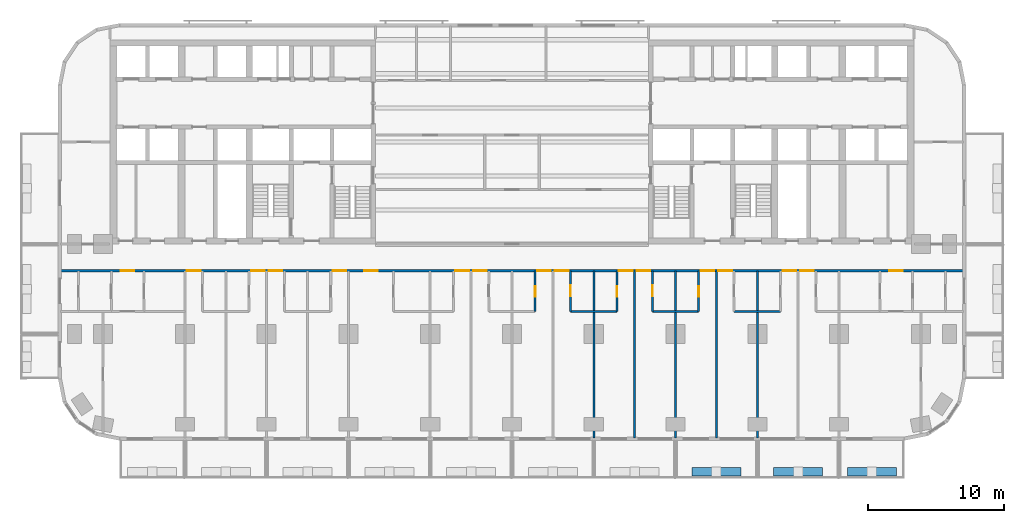
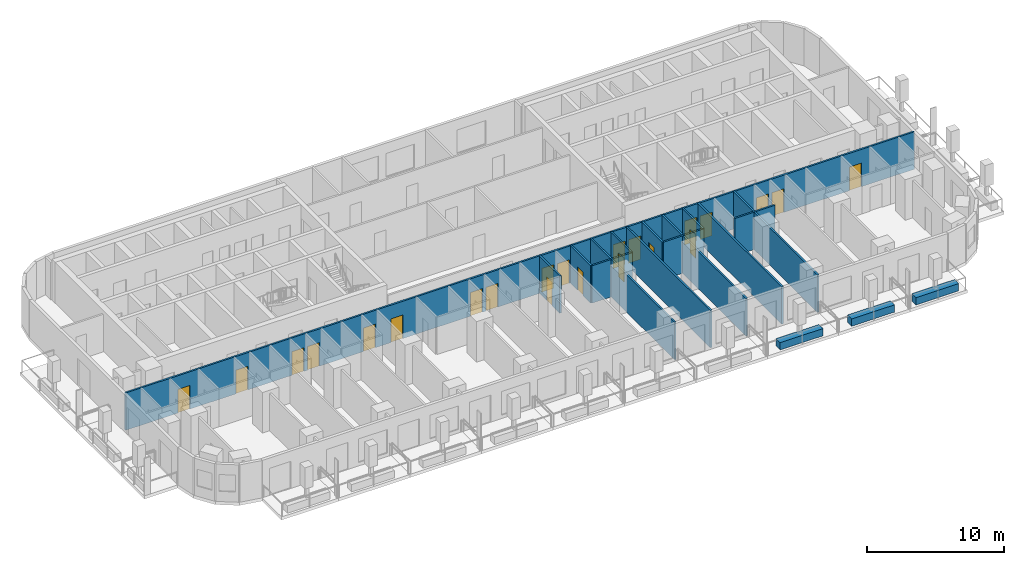
# One storey, part 6 of 15: 22 doors, 17 walls, 22 openings.
"""IFC4 building model written with IfcOpenShell, lengths in metres."""

from ifc_helpers import new_model, si_unit, direction, frame, frame_2d, origin, place, context, subcontext, project, spatial, rectangle, extrude, material, layer, layer_set, type_object, element, fill, save


model = new_model("IFC4")

# Units and contexts
model_context = context("Model", 3, precision=1e-05, world=origin(), true_north=direction((0.0, 1.0)))
body_context = subcontext(model_context, "Body", "Model", "MODEL_VIEW")
ifc_project = project(units=[si_unit("LENGTHUNIT", "METRE"), si_unit("AREAUNIT", "SQUARE_METRE"), si_unit("VOLUMEUNIT", "CUBIC_METRE"), si_unit("PLANEANGLEUNIT", "RADIAN"), si_unit("MASSUNIT", "GRAM", prefix="KILO")], contexts=[model_context])

# Site, building, storey
site_placement = place(None, origin())
site = spatial("IfcSite", under=ifc_project, at=site_placement, CompositionType="ELEMENT")
building_placement = place(site_placement, origin())
building = spatial("IfcBuilding", under=site, at=building_placement, Name="Torana Hotel and Residences", CompositionType="ELEMENT")
storey_placement = place(building_placement, frame((0.0, 0.0, 31.199951171875)))
storey = spatial("IfcBuildingStorey", under=building, at=storey_placement, Name="L06", CompositionType="ELEMENT", Elevation=31.199951171875)

# Wall, openings, doors
ifc_material_1 = material(Name="Gypsum plaster")
ifc_layer_1 = layer(ifc_material_1, 0.014892578125, Name="Plaster", Category="finish")
ifc_material_2 = material(Name="Concrete blockwork", Category="masonry")
ifc_layer_2 = layer(ifc_material_2, 0.1201171875, Name="Blockwork", Category="structure")
ifc_layer_3 = layer(ifc_material_1, 0.014892578125, Name="Plaster", Category="finish")
ifc_layer_set_1 = layer_set([ifc_layer_1, ifc_layer_2, ifc_layer_3], Name="FIRE PARTITION 150 BLOCKWORK")
wall_type_1 = type_object("IfcWallType", Name="FIRE PARTITION 150 BLOCKWORK", PredefinedType="PARTITIONING", material=ifc_layer_set_1)
wall_1_placement = place(storey_placement, frame((-33.1201171875, -16.949951171875, 0.0), z_axis=(0.0, 0.0, 1.0), x_axis=(1.0, 0.0, 0.0)))
wall_1 = element("IfcWall", 1, at=wall_1_placement, inside=storey, type_object=wall_type_1, Name="Partition L06", PredefinedType="PARTITIONING", context=body_context, shape_type="SweptSolid", body=[
    extrude(rectangle(XDim=66.240234375, YDim=0.14990234375, at=frame_2d((33.1201171875, 0.0))), origin(), (0.0, 0.0, 1.0), 3.320068359375),
])
opening_1_placement = place(wall_1_placement, frame((9.27001953125, 0.0, 0.0)))
opening_1 = element("IfcOpeningElement", 2, at=opening_1_placement, cuts=wall_1, Name="Opening L06-38", PredefinedType="OPENING", context=body_context, shape_type="SweptSolid", body=[
    extrude(rectangle(XDim=1.0, YDim=2.10009765625, at=frame_2d((0.5, 1.050048828125))), frame((0.0, 0.0849609375, 0.0), z_axis=(0.0, -1.0, 0.0), x_axis=(1.0, 0.0, 0.0)), (0.0, 0.0, 1.0), 0.169921875),
])
opening_2_placement = place(wall_1_placement, frame((13.969970703125, 0.0, 0.0)))
opening_2 = element("IfcOpeningElement", 3, at=opening_2_placement, cuts=wall_1, Name="Opening L06-39", PredefinedType="OPENING", context=body_context, shape_type="SweptSolid", body=[
    extrude(rectangle(XDim=1.0, YDim=2.10009765625, at=frame_2d((0.5, 1.050048828125))), frame((0.0, 0.0849609375, 0.0), z_axis=(0.0, -1.0, 0.0), x_axis=(1.0, 0.0, 0.0)), (0.0, 0.0, 1.0), 0.169921875),
])
opening_3_placement = place(wall_1_placement, frame((15.27001953125, 0.0, 0.0)))
opening_3 = element("IfcOpeningElement", 4, at=opening_3_placement, cuts=wall_1, Name="Opening L06-40", PredefinedType="OPENING", context=body_context, shape_type="SweptSolid", body=[
    extrude(rectangle(XDim=1.0, YDim=2.10009765625, at=frame_2d((0.5, 1.050048828125))), frame((0.0, 0.0849609375, 0.0), z_axis=(0.0, -1.0, 0.0), x_axis=(1.0, 0.0, 0.0)), (0.0, 0.0, 1.0), 0.169921875),
])
opening_4_placement = place(wall_1_placement, frame((19.969970703125, 0.0, 0.0)))
opening_4 = element("IfcOpeningElement", 5, at=opening_4_placement, cuts=wall_1, Name="Opening L06-41", PredefinedType="OPENING", context=body_context, shape_type="SweptSolid", body=[
    extrude(rectangle(XDim=1.0, YDim=2.10009765625, at=frame_2d((0.5, 1.050048828125))), frame((0.0, 0.0849609375, 0.0), z_axis=(0.0, -1.0, 0.0), x_axis=(1.0, 0.0, 0.0)), (0.0, 0.0, 1.0), 0.169921875),
])
opening_5_placement = place(wall_1_placement, frame((22.27001953125, 0.0, 0.0)))
opening_5 = element("IfcOpeningElement", 6, at=opening_5_placement, cuts=wall_1, Name="Opening L06-42", PredefinedType="OPENING", context=body_context, shape_type="SweptSolid", body=[
    extrude(rectangle(XDim=1.0, YDim=2.10009765625, at=frame_2d((0.5, 1.050048828125))), frame((0.0, 0.0849609375, 0.0), z_axis=(0.0, -1.0, 0.0), x_axis=(1.0, 0.0, 0.0)), (0.0, 0.0, 1.0), 0.169921875),
])
opening_6_placement = place(wall_1_placement, frame((28.969970703125, 0.0, 0.0)))
opening_6 = element("IfcOpeningElement", 7, at=opening_6_placement, cuts=wall_1, Name="Opening L06-43", PredefinedType="OPENING", context=body_context, shape_type="SweptSolid", body=[
    extrude(rectangle(XDim=1.0, YDim=2.10009765625, at=frame_2d((0.5, 1.050048828125))), frame((0.0, 0.0849609375, 0.0), z_axis=(0.0, -1.0, 0.0), x_axis=(1.0, 0.0, 0.0)), (0.0, 0.0, 1.0), 0.169921875),
])
opening_7_placement = place(wall_1_placement, frame((30.27001953125, 0.0, 0.0)))
opening_7 = element("IfcOpeningElement", 8, at=opening_7_placement, cuts=wall_1, Name="Opening L06-44", PredefinedType="OPENING", context=body_context, shape_type="SweptSolid", body=[
    extrude(rectangle(XDim=1.0, YDim=2.10009765625, at=frame_2d((0.5, 1.050048828125))), frame((0.0, 0.0849609375, 0.0), z_axis=(0.0, -1.0, 0.0), x_axis=(1.0, 0.0, 0.0)), (0.0, 0.0, 1.0), 0.169921875),
])
opening_8_placement = place(wall_1_placement, frame((34.969970703125, 0.0, 0.0)))
opening_8 = element("IfcOpeningElement", 9, at=opening_8_placement, cuts=wall_1, Name="Opening L06-45", PredefinedType="OPENING", context=body_context, shape_type="SweptSolid", body=[
    extrude(rectangle(XDim=1.0, YDim=2.10009765625, at=frame_2d((0.5, 1.050048828125))), frame((0.0, 0.0849609375, 0.0), z_axis=(0.0, -1.0, 0.0), x_axis=(1.0, 0.0, 0.0)), (0.0, 0.0, 1.0), 0.169921875),
])
opening_9_placement = place(wall_1_placement, frame((36.27001953125, 0.0, 0.0)))
opening_9 = element("IfcOpeningElement", 10, at=opening_9_placement, cuts=wall_1, Name="Opening L06-46", PredefinedType="OPENING", context=body_context, shape_type="SweptSolid", body=[
    extrude(rectangle(XDim=1.0, YDim=2.10009765625, at=frame_2d((0.5, 1.050048828125))), frame((0.0, 0.0849609375, 0.0), z_axis=(0.0, -1.0, 0.0), x_axis=(1.0, 0.0, 0.0)), (0.0, 0.0, 1.0), 0.169921875),
])
opening_10_placement = place(wall_1_placement, frame((40.969970703125, 0.0, 0.0)))
opening_10 = element("IfcOpeningElement", 11, at=opening_10_placement, cuts=wall_1, Name="Opening L06-47", PredefinedType="OPENING", context=body_context, shape_type="SweptSolid", body=[
    extrude(rectangle(XDim=1.0, YDim=2.10009765625, at=frame_2d((0.5, 1.050048828125))), frame((0.0, 0.0849609375, 0.0), z_axis=(0.0, -1.0, 0.0), x_axis=(1.0, 0.0, 0.0)), (0.0, 0.0, 1.0), 0.169921875),
])
opening_11_placement = place(wall_1_placement, frame((42.27001953125, 0.0, 0.0)))
opening_11 = element("IfcOpeningElement", 12, at=opening_11_placement, cuts=wall_1, Name="Opening L06-48", PredefinedType="OPENING", context=body_context, shape_type="SweptSolid", body=[
    extrude(rectangle(XDim=1.0, YDim=2.10009765625, at=frame_2d((0.5, 1.050048828125))), frame((0.0, 0.0849609375, 0.0), z_axis=(0.0, -1.0, 0.0), x_axis=(1.0, 0.0, 0.0)), (0.0, 0.0, 1.0), 0.169921875),
])
opening_12_placement = place(wall_1_placement, frame((46.969970703125, 0.0, 0.0)))
opening_12 = element("IfcOpeningElement", 13, at=opening_12_placement, cuts=wall_1, Name="Opening L06-49", PredefinedType="OPENING", context=body_context, shape_type="SweptSolid", body=[
    extrude(rectangle(XDim=1.0, YDim=2.10009765625, at=frame_2d((0.5, 1.050048828125))), frame((0.0, 0.0849609375, 0.0), z_axis=(0.0, -1.0, 0.0), x_axis=(1.0, 0.0, 0.0)), (0.0, 0.0, 1.0), 0.169921875),
])
opening_13_placement = place(wall_1_placement, frame((48.27001953125, 0.0, 0.0)))
opening_13 = element("IfcOpeningElement", 14, at=opening_13_placement, cuts=wall_1, Name="Opening L06-50", PredefinedType="OPENING", context=body_context, shape_type="SweptSolid", body=[
    extrude(rectangle(XDim=1.0, YDim=2.10009765625, at=frame_2d((0.5, 1.050048828125))), frame((0.0, 0.0849609375, 0.0), z_axis=(0.0, -1.0, 0.0), x_axis=(1.0, 0.0, 0.0)), (0.0, 0.0, 1.0), 0.169921875),
])
opening_14_placement = place(wall_1_placement, frame((52.969970703125, 0.0, 0.0)))
opening_14 = element("IfcOpeningElement", 15, at=opening_14_placement, cuts=wall_1, Name="Opening L06-51", PredefinedType="OPENING", context=body_context, shape_type="SweptSolid", body=[
    extrude(rectangle(XDim=1.0, YDim=2.10009765625, at=frame_2d((0.5, 1.050048828125))), frame((0.0, 0.0849609375, 0.0), z_axis=(0.0, -1.0, 0.0), x_axis=(1.0, 0.0, 0.0)), (0.0, 0.0, 1.0), 0.169921875),
])
opening_15_placement = place(wall_1_placement, frame((54.27001953125, 0.0, 0.0)))
opening_15 = element("IfcOpeningElement", 16, at=opening_15_placement, cuts=wall_1, Name="Opening L06-52", PredefinedType="OPENING", context=body_context, shape_type="SweptSolid", body=[
    extrude(rectangle(XDim=1.0, YDim=2.10009765625, at=frame_2d((0.5, 1.050048828125))), frame((0.0, 0.0849609375, 0.0), z_axis=(0.0, -1.0, 0.0), x_axis=(1.0, 0.0, 0.0)), (0.0, 0.0, 1.0), 0.169921875),
])
opening_16_placement = place(wall_1_placement, frame((4.39990234375, 0.0, 0.0)))
opening_16 = element("IfcOpeningElement", 17, at=opening_16_placement, cuts=wall_1, Name="Opening L06-53", PredefinedType="OPENING", context=body_context, shape_type="SweptSolid", body=[
    extrude(rectangle(XDim=1.0, YDim=2.10009765625, at=frame_2d((0.5, 1.050048828125))), frame((0.0, 0.0849609375, 0.0), z_axis=(0.0, -1.0, 0.0), x_axis=(1.0, 0.0, 0.0)), (0.0, 0.0, 1.0), 0.169921875),
])
opening_17_placement = place(wall_1_placement, frame((60.800048828125, 0.0, 0.0)))
opening_17 = element("IfcOpeningElement", 18, at=opening_17_placement, cuts=wall_1, Name="Opening L06-54", PredefinedType="OPENING", context=body_context, shape_type="SweptSolid", body=[
    extrude(rectangle(XDim=1.0, YDim=2.10009765625, at=frame_2d((0.5, 1.050048828125))), frame((0.0, 0.0849609375, 0.0), z_axis=(0.0, -1.0, 0.0), x_axis=(1.0, 0.0, 0.0)), (0.0, 0.0, 1.0), 0.169921875),
])
ifc_material_3 = material(Name="Steel S235", Category="steel")
door_type_1 = type_object("IfcDoorType", Name="ENTRY FIRE DOOR D6 1000x2100", OperationType="SINGLE_SWING_LEFT", PredefinedType="DOOR", material=ifc_material_3)
door_1_placement = place(opening_1_placement, frame((0.5, 0.0, 0.0), z_axis=(0.0, 0.0, 1.0), x_axis=(-1.0, 0.0, 0.0)))
door_1 = element("IfcDoor", 19, at=door_1_placement, inside=storey, type_object=door_type_1, Name="Door L06", OperationType="SINGLE_SWING_LEFT", OverallHeight=2.10009765625, OverallWidth=1.0, PredefinedType="DOOR", context=body_context, shape_type="SweptSolid", body=[
    extrude(rectangle(XDim=1.0, YDim=2.10009765625, at=frame_2d((0.0, 1.050048828125))), frame((0.0, -0.02490234375, 0.0), z_axis=(0.0, 1.0, 0.0), x_axis=(-1.0, 0.0, 0.0)), (0.0, 0.0, 1.0), 0.050048828125),
])
fill(opening_1, door_1)
door_2_placement = place(opening_2_placement, frame((0.5, 0.0, 0.0), z_axis=(0.0, 0.0, 1.0), x_axis=(-1.0, 0.0, 0.0)))
door_2 = element("IfcDoor", 20, at=door_2_placement, inside=storey, type_object=door_type_1, Name="Door L06", OperationType="SINGLE_SWING_LEFT", OverallHeight=2.10009765625, OverallWidth=1.0, PredefinedType="DOOR", context=body_context, shape_type="SweptSolid", body=[
    extrude(rectangle(XDim=1.0, YDim=2.10009765625, at=frame_2d((0.0, 1.050048828125))), frame((0.0, -0.02490234375, 0.0), z_axis=(0.0, 1.0, 0.0), x_axis=(-1.0, 0.0, 0.0)), (0.0, 0.0, 1.0), 0.050048828125),
])
fill(opening_2, door_2)
door_3_placement = place(opening_3_placement, frame((0.5, 0.0, 0.0), z_axis=(0.0, 0.0, 1.0), x_axis=(-1.0, 0.0, 0.0)))
door_3 = element("IfcDoor", 21, at=door_3_placement, inside=storey, type_object=door_type_1, Name="Door L06", OperationType="SINGLE_SWING_LEFT", OverallHeight=2.10009765625, OverallWidth=1.0, PredefinedType="DOOR", context=body_context, shape_type="SweptSolid", body=[
    extrude(rectangle(XDim=1.0, YDim=2.10009765625, at=frame_2d((0.0, 1.050048828125))), frame((0.0, -0.02490234375, 0.0), z_axis=(0.0, 1.0, 0.0), x_axis=(-1.0, 0.0, 0.0)), (0.0, 0.0, 1.0), 0.050048828125),
])
fill(opening_3, door_3)
door_4_placement = place(opening_4_placement, frame((0.5, 0.0, 0.0), z_axis=(0.0, 0.0, 1.0), x_axis=(-1.0, 0.0, 0.0)))
door_4 = element("IfcDoor", 22, at=door_4_placement, inside=storey, type_object=door_type_1, Name="Door L06", OperationType="SINGLE_SWING_LEFT", OverallHeight=2.10009765625, OverallWidth=1.0, PredefinedType="DOOR", context=body_context, shape_type="SweptSolid", body=[
    extrude(rectangle(XDim=1.0, YDim=2.10009765625, at=frame_2d((0.0, 1.050048828125))), frame((0.0, -0.02490234375, 0.0), z_axis=(0.0, 1.0, 0.0), x_axis=(-1.0, 0.0, 0.0)), (0.0, 0.0, 1.0), 0.050048828125),
])
fill(opening_4, door_4)
door_5_placement = place(opening_5_placement, frame((0.5, 0.0, 0.0), z_axis=(0.0, 0.0, 1.0), x_axis=(-1.0, 0.0, 0.0)))
door_5 = element("IfcDoor", 23, at=door_5_placement, inside=storey, type_object=door_type_1, Name="Door L06", OperationType="SINGLE_SWING_LEFT", OverallHeight=2.10009765625, OverallWidth=1.0, PredefinedType="DOOR", context=body_context, shape_type="SweptSolid", body=[
    extrude(rectangle(XDim=1.0, YDim=2.10009765625, at=frame_2d((0.0, 1.050048828125))), frame((0.0, -0.02490234375, 0.0), z_axis=(0.0, 1.0, 0.0), x_axis=(-1.0, 0.0, 0.0)), (0.0, 0.0, 1.0), 0.050048828125),
])
fill(opening_5, door_5)
door_6_placement = place(opening_6_placement, frame((0.5, 0.0, 0.0), z_axis=(0.0, 0.0, 1.0), x_axis=(-1.0, 0.0, 0.0)))
door_6 = element("IfcDoor", 24, at=door_6_placement, inside=storey, type_object=door_type_1, Name="Door L06", OperationType="SINGLE_SWING_LEFT", OverallHeight=2.10009765625, OverallWidth=1.0, PredefinedType="DOOR", context=body_context, shape_type="SweptSolid", body=[
    extrude(rectangle(XDim=1.0, YDim=2.10009765625, at=frame_2d((0.0, 1.050048828125))), frame((0.0, -0.02490234375, 0.0), z_axis=(0.0, 1.0, 0.0), x_axis=(-1.0, 0.0, 0.0)), (0.0, 0.0, 1.0), 0.050048828125),
])
fill(opening_6, door_6)
door_7_placement = place(opening_7_placement, frame((0.5, 0.0, 0.0), z_axis=(0.0, 0.0, 1.0), x_axis=(-1.0, 0.0, 0.0)))
door_7 = element("IfcDoor", 25, at=door_7_placement, inside=storey, type_object=door_type_1, Name="Door L06", OperationType="SINGLE_SWING_LEFT", OverallHeight=2.10009765625, OverallWidth=1.0, PredefinedType="DOOR", context=body_context, shape_type="SweptSolid", body=[
    extrude(rectangle(XDim=1.0, YDim=2.10009765625, at=frame_2d((0.0, 1.050048828125))), frame((0.0, -0.02490234375, 0.0), z_axis=(0.0, 1.0, 0.0), x_axis=(-1.0, 0.0, 0.0)), (0.0, 0.0, 1.0), 0.050048828125),
])
fill(opening_7, door_7)
door_8_placement = place(opening_8_placement, frame((0.5, 0.0, 0.0), z_axis=(0.0, 0.0, 1.0), x_axis=(-1.0, 0.0, 0.0)))
door_8 = element("IfcDoor", 26, at=door_8_placement, inside=storey, type_object=door_type_1, Name="Door L06", OperationType="SINGLE_SWING_LEFT", OverallHeight=2.10009765625, OverallWidth=1.0, PredefinedType="DOOR", context=body_context, shape_type="SweptSolid", body=[
    extrude(rectangle(XDim=1.0, YDim=2.10009765625, at=frame_2d((0.0, 1.050048828125))), frame((0.0, -0.02490234375, 0.0), z_axis=(0.0, 1.0, 0.0), x_axis=(-1.0, 0.0, 0.0)), (0.0, 0.0, 1.0), 0.050048828125),
])
fill(opening_8, door_8)
door_9_placement = place(opening_9_placement, frame((0.5, 0.0, 0.0), z_axis=(0.0, 0.0, 1.0), x_axis=(-1.0, 0.0, 0.0)))
door_9 = element("IfcDoor", 27, at=door_9_placement, inside=storey, type_object=door_type_1, Name="Door L06", OperationType="SINGLE_SWING_LEFT", OverallHeight=2.10009765625, OverallWidth=1.0, PredefinedType="DOOR", context=body_context, shape_type="SweptSolid", body=[
    extrude(rectangle(XDim=1.0, YDim=2.10009765625, at=frame_2d((0.0, 1.050048828125))), frame((0.0, -0.02490234375, 0.0), z_axis=(0.0, 1.0, 0.0), x_axis=(-1.0, 0.0, 0.0)), (0.0, 0.0, 1.0), 0.050048828125),
])
fill(opening_9, door_9)
door_10_placement = place(opening_10_placement, frame((0.5, 0.0, 0.0), z_axis=(0.0, 0.0, 1.0), x_axis=(-1.0, 0.0, 0.0)))
door_10 = element("IfcDoor", 28, at=door_10_placement, inside=storey, type_object=door_type_1, Name="Door L06", OperationType="SINGLE_SWING_LEFT", OverallHeight=2.10009765625, OverallWidth=1.0, PredefinedType="DOOR", context=body_context, shape_type="SweptSolid", body=[
    extrude(rectangle(XDim=1.0, YDim=2.10009765625, at=frame_2d((0.0, 1.050048828125))), frame((0.0, -0.02490234375, 0.0), z_axis=(0.0, 1.0, 0.0), x_axis=(-1.0, 0.0, 0.0)), (0.0, 0.0, 1.0), 0.050048828125),
])
fill(opening_10, door_10)
door_11_placement = place(opening_11_placement, frame((0.5, 0.0, 0.0), z_axis=(0.0, 0.0, 1.0), x_axis=(-1.0, 0.0, 0.0)))
door_11 = element("IfcDoor", 29, at=door_11_placement, inside=storey, type_object=door_type_1, Name="Door L06", OperationType="SINGLE_SWING_LEFT", OverallHeight=2.10009765625, OverallWidth=1.0, PredefinedType="DOOR", context=body_context, shape_type="SweptSolid", body=[
    extrude(rectangle(XDim=1.0, YDim=2.10009765625, at=frame_2d((0.0, 1.050048828125))), frame((0.0, -0.02490234375, 0.0), z_axis=(0.0, 1.0, 0.0), x_axis=(-1.0, 0.0, 0.0)), (0.0, 0.0, 1.0), 0.050048828125),
])
fill(opening_11, door_11)
door_12_placement = place(opening_12_placement, frame((0.5, 0.0, 0.0), z_axis=(0.0, 0.0, 1.0), x_axis=(-1.0, 0.0, 0.0)))
door_12 = element("IfcDoor", 30, at=door_12_placement, inside=storey, type_object=door_type_1, Name="Door L06", OperationType="SINGLE_SWING_LEFT", OverallHeight=2.10009765625, OverallWidth=1.0, PredefinedType="DOOR", context=body_context, shape_type="SweptSolid", body=[
    extrude(rectangle(XDim=1.0, YDim=2.10009765625, at=frame_2d((0.0, 1.050048828125))), frame((0.0, -0.02490234375, 0.0), z_axis=(0.0, 1.0, 0.0), x_axis=(-1.0, 0.0, 0.0)), (0.0, 0.0, 1.0), 0.050048828125),
])
fill(opening_12, door_12)
door_13_placement = place(opening_13_placement, frame((0.5, 0.0, 0.0), z_axis=(0.0, 0.0, 1.0), x_axis=(-1.0, 0.0, 0.0)))
door_13 = element("IfcDoor", 31, at=door_13_placement, inside=storey, type_object=door_type_1, Name="Door L06", OperationType="SINGLE_SWING_LEFT", OverallHeight=2.10009765625, OverallWidth=1.0, PredefinedType="DOOR", context=body_context, shape_type="SweptSolid", body=[
    extrude(rectangle(XDim=1.0, YDim=2.10009765625, at=frame_2d((0.0, 1.050048828125))), frame((0.0, -0.02490234375, 0.0), z_axis=(0.0, 1.0, 0.0), x_axis=(-1.0, 0.0, 0.0)), (0.0, 0.0, 1.0), 0.050048828125),
])
fill(opening_13, door_13)
door_14_placement = place(opening_14_placement, frame((0.5, 0.0, 0.0), z_axis=(0.0, 0.0, 1.0), x_axis=(-1.0, 0.0, 0.0)))
door_14 = element("IfcDoor", 32, at=door_14_placement, inside=storey, type_object=door_type_1, Name="Door L06", OperationType="SINGLE_SWING_LEFT", OverallHeight=2.10009765625, OverallWidth=1.0, PredefinedType="DOOR", context=body_context, shape_type="SweptSolid", body=[
    extrude(rectangle(XDim=1.0, YDim=2.10009765625, at=frame_2d((0.0, 1.050048828125))), frame((0.0, -0.02490234375, 0.0), z_axis=(0.0, 1.0, 0.0), x_axis=(-1.0, 0.0, 0.0)), (0.0, 0.0, 1.0), 0.050048828125),
])
fill(opening_14, door_14)
door_15_placement = place(opening_15_placement, frame((0.5, 0.0, 0.0), z_axis=(0.0, 0.0, 1.0), x_axis=(-1.0, 0.0, 0.0)))
door_15 = element("IfcDoor", 33, at=door_15_placement, inside=storey, type_object=door_type_1, Name="Door L06", OperationType="SINGLE_SWING_LEFT", OverallHeight=2.10009765625, OverallWidth=1.0, PredefinedType="DOOR", context=body_context, shape_type="SweptSolid", body=[
    extrude(rectangle(XDim=1.0, YDim=2.10009765625, at=frame_2d((0.0, 1.050048828125))), frame((0.0, -0.02490234375, 0.0), z_axis=(0.0, 1.0, 0.0), x_axis=(-1.0, 0.0, 0.0)), (0.0, 0.0, 1.0), 0.050048828125),
])
fill(opening_15, door_15)
door_16_placement = place(opening_16_placement, origin())
door_16 = element("IfcDoor", 34, at=door_16_placement, inside=storey, type_object=door_type_1, Name="Door L06", OperationType="SINGLE_SWING_RIGHT", OverallHeight=2.10009765625, OverallWidth=1.0, PredefinedType="DOOR", context=body_context, shape_type="SweptSolid", body=[
    extrude(rectangle(XDim=1.0, YDim=2.10009765625, at=frame_2d((0.5, 1.050048828125))), frame((0.0, 0.02490234375, 0.0), z_axis=(0.0, -1.0, 0.0), x_axis=(1.0, 0.0, 0.0)), (0.0, 0.0, 1.0), 0.050048828125),
])
fill(opening_16, door_16)
door_17_placement = place(opening_17_placement, origin())
door_17 = element("IfcDoor", 35, at=door_17_placement, inside=storey, type_object=door_type_1, Name="Door L06", OperationType="SINGLE_SWING_RIGHT", OverallHeight=2.10009765625, OverallWidth=1.0, PredefinedType="DOOR", context=body_context, shape_type="SweptSolid", body=[
    extrude(rectangle(XDim=1.0, YDim=2.10009765625, at=frame_2d((0.5, 1.050048828125))), frame((0.0, 0.02490234375, 0.0), z_axis=(0.0, -1.0, 0.0), x_axis=(1.0, 0.0, 0.0)), (0.0, 0.0, 1.0), 0.050048828125),
])
fill(opening_17, door_17)

# Walls
ifc_material_4 = material(Name="Gypsum plasterboard")
ifc_layer_4 = layer(ifc_material_4, 0.012451171875, Name="Plasterboard", Category="finish")
ifc_layer_5 = layer(ifc_material_4, 0.012451171875, Name="Plasterboard", Category="finish")
ifc_material_5 = material(Name="Steel S280GD", Category="steel")
ifc_layer_6 = layer(ifc_material_5, 0.10009765625, Name="Steel studs with mineral wool", Category="insulation")
ifc_layer_7 = layer(ifc_material_4, 0.012451171875, Name="Plasterboard", Category="finish")
ifc_layer_8 = layer(ifc_material_4, 0.012451171875, Name="Plasterboard", Category="finish")
ifc_layer_set_2 = layer_set([ifc_layer_4, ifc_layer_5, ifc_layer_6, ifc_layer_7, ifc_layer_8], Name="PARTITION 150 PLASTERBOARD")
wall_type_2 = type_object("IfcWallType", Name="PARTITION 150 PLASTERBOARD", PredefinedType="PARTITIONING", material=ifc_layer_set_2)
for number, where, z_axis, x_axis, name in (
    (36, (18.0, -29.219970703125, 0.0), (0.0, 0.0, 1.0), (0.0, 1.0, 0.0), "Partition L06"),
    (37, (15.0, -29.219970703125, 0.0), (0.0, 0.0, 1.0), (0.0, 1.0, 0.0), "Partition L06"),
):
    element("IfcWall", number, at=place(storey_placement, frame(where, z_axis=z_axis, x_axis=x_axis)), inside=storey, type_object=wall_type_2, Name=name, PredefinedType="PARTITIONING", context=body_context, shape_type="SweptSolid", body=[
        extrude(rectangle(XDim=12.27001953125, YDim=0.14990234375, at=frame_2d((6.135009765625, 0.0))), origin(), (0.0, 0.0, 1.0), 3.320068359375),
    ])

# Wall, opening, door
wall_2_placement = place(storey_placement, frame((13.699951171875, -19.949951171875, 0.0), z_axis=(0.0, 0.0, 1.0), x_axis=(0.0, 1.0, 0.0)))
wall_2 = element("IfcWall", 38, at=wall_2_placement, inside=storey, type_object=wall_type_2, Name="Partition L06", PredefinedType="PARTITIONING", context=body_context, shape_type="SweptSolid", body=[
    extrude(rectangle(XDim=3.0, YDim=0.14990234375, at=frame_2d((1.5, 0.0))), origin(), (0.0, 0.0, 1.0), 3.320068359375),
])
opening_18_placement = place(wall_2_placement, frame((1.080078125, 0.0, 0.0)))
opening_18 = element("IfcOpeningElement", 39, at=opening_18_placement, cuts=wall_2, Name="Opening L06-76", PredefinedType="OPENING", context=body_context, shape_type="SweptSolid", body=[
    extrude(rectangle(XDim=0.800048828125, YDim=2.10009765625, at=frame_2d((0.39990234375, 1.050048828125))), frame((0.0, 0.0849609375, 0.0), z_axis=(0.0, -1.0, 0.0), x_axis=(1.0, 0.0, 0.0)), (0.0, 0.0, 1.0), 0.169921875),
])
ifc_material_6 = material(Name="Timber door, painted", Category="wood")
door_type_2 = type_object("IfcDoorType", Name="BATH DOOR D13 800x2100", OperationType="SINGLE_SWING_LEFT", PredefinedType="DOOR", material=ifc_material_6)
door_18_placement = place(opening_18_placement, origin())
door_18 = element("IfcDoor", 40, at=door_18_placement, inside=storey, type_object=door_type_2, Name="Door L06", OperationType="SINGLE_SWING_RIGHT", OverallHeight=2.10009765625, OverallWidth=0.800048828125, PredefinedType="DOOR", context=body_context, shape_type="SweptSolid", body=[
    extrude(rectangle(XDim=0.800048828125, YDim=2.10009765625, at=frame_2d((0.39990234375, 1.050048828125))), frame((0.0, 0.02490234375, 0.0), z_axis=(0.0, -1.0, 0.0), x_axis=(1.0, 0.0, 0.0)), (0.0, 0.0, 1.0), 0.050048828125),
])
fill(opening_18, door_18)

# Wall
wall_3_placement = place(storey_placement, frame((12.0, -29.219970703125, 0.0), z_axis=(0.0, 0.0, 1.0), x_axis=(0.0, 1.0, 0.0)))
element("IfcWall", 41, at=wall_3_placement, inside=storey, type_object=wall_type_2, Name="Partition L06", PredefinedType="PARTITIONING", context=body_context, shape_type="SweptSolid", body=[
    extrude(rectangle(XDim=12.27001953125, YDim=0.14990234375, at=frame_2d((6.135009765625, 0.0))), origin(), (0.0, 0.0, 1.0), 3.320068359375),
])

# Wall, opening, door
wall_4_placement = place(storey_placement, frame((10.300048828125, -19.949951171875, 0.0), z_axis=(0.0, 0.0, 1.0), x_axis=(0.0, 1.0, 0.0)))
wall_4 = element("IfcWall", 42, at=wall_4_placement, inside=storey, type_object=wall_type_2, Name="Partition L06", PredefinedType="PARTITIONING", context=body_context, shape_type="SweptSolid", body=[
    extrude(rectangle(XDim=3.0, YDim=0.14990234375, at=frame_2d((1.5, 0.0))), origin(), (0.0, 0.0, 1.0), 3.320068359375),
])
opening_19_placement = place(wall_4_placement, frame((1.1201171875, 0.0, 0.0)))
opening_19 = element("IfcOpeningElement", 43, at=opening_19_placement, cuts=wall_4, Name="Opening L06-75", PredefinedType="OPENING", context=body_context, shape_type="SweptSolid", body=[
    extrude(rectangle(XDim=0.800048828125, YDim=2.10009765625, at=frame_2d((0.39990234375, 1.050048828125))), frame((0.0, 0.0849609375, 0.0), z_axis=(0.0, -1.0, 0.0), x_axis=(1.0, 0.0, 0.0)), (0.0, 0.0, 1.0), 0.169921875),
])
door_19_placement = place(opening_19_placement, origin())
door_19 = element("IfcDoor", 44, at=door_19_placement, inside=storey, type_object=door_type_2, Name="Door L06", OperationType="SINGLE_SWING_LEFT", OverallHeight=2.10009765625, OverallWidth=0.800048828125, PredefinedType="DOOR", context=body_context, shape_type="SweptSolid", body=[
    extrude(rectangle(XDim=0.800048828125, YDim=2.10009765625, at=frame_2d((0.39990234375, 1.050048828125))), frame((0.0, 0.02490234375, 0.0), z_axis=(0.0, -1.0, 0.0), x_axis=(1.0, 0.0, 0.0)), (0.0, 0.0, 1.0), 0.050048828125),
])
fill(opening_19, door_19)

# Wall
wall_5_placement = place(storey_placement, frame((9.0, -29.219970703125, 0.0), z_axis=(0.0, 0.0, 1.0), x_axis=(0.0, 1.0, 0.0)))
element("IfcWall", 45, at=wall_5_placement, inside=storey, type_object=wall_type_2, Name="Partition L06", PredefinedType="PARTITIONING", context=body_context, shape_type="SweptSolid", body=[
    extrude(rectangle(XDim=12.27001953125, YDim=0.14990234375, at=frame_2d((6.135009765625, 0.0))), origin(), (0.0, 0.0, 1.0), 3.320068359375),
])

# Wall, opening, door
wall_6_placement = place(storey_placement, frame((7.699951171875, -19.949951171875, 0.0), z_axis=(0.0, 0.0, 1.0), x_axis=(0.0, 1.0, 0.0)))
wall_6 = element("IfcWall", 46, at=wall_6_placement, inside=storey, type_object=wall_type_2, Name="Partition L06", PredefinedType="PARTITIONING", context=body_context, shape_type="SweptSolid", body=[
    extrude(rectangle(XDim=3.0, YDim=0.14990234375, at=frame_2d((1.5, 0.0))), origin(), (0.0, 0.0, 1.0), 3.320068359375),
])
opening_20_placement = place(wall_6_placement, frame((1.080078125, 0.0, 0.0)))
opening_20 = element("IfcOpeningElement", 47, at=opening_20_placement, cuts=wall_6, Name="Opening L06-74", PredefinedType="OPENING", context=body_context, shape_type="SweptSolid", body=[
    extrude(rectangle(XDim=0.800048828125, YDim=2.10009765625, at=frame_2d((0.39990234375, 1.050048828125))), frame((0.0, 0.0849609375, 0.0), z_axis=(0.0, -1.0, 0.0), x_axis=(1.0, 0.0, 0.0)), (0.0, 0.0, 1.0), 0.169921875),
])
door_20_placement = place(opening_20_placement, origin())
door_20 = element("IfcDoor", 48, at=door_20_placement, inside=storey, type_object=door_type_2, Name="Door L06", OperationType="SINGLE_SWING_RIGHT", OverallHeight=2.10009765625, OverallWidth=0.800048828125, PredefinedType="DOOR", context=body_context, shape_type="SweptSolid", body=[
    extrude(rectangle(XDim=0.800048828125, YDim=2.10009765625, at=frame_2d((0.39990234375, 1.050048828125))), frame((0.0, 0.02490234375, 0.0), z_axis=(0.0, -1.0, 0.0), x_axis=(1.0, 0.0, 0.0)), (0.0, 0.0, 1.0), 0.050048828125),
])
fill(opening_20, door_20)

# Wall
wall_7_placement = place(storey_placement, frame((6.0, -29.219970703125, 0.0), z_axis=(0.0, 0.0, 1.0), x_axis=(0.0, 1.0, 0.0)))
element("IfcWall", 49, at=wall_7_placement, inside=storey, type_object=wall_type_2, Name="Partition L06", PredefinedType="PARTITIONING", context=body_context, shape_type="SweptSolid", body=[
    extrude(rectangle(XDim=12.27001953125, YDim=0.14990234375, at=frame_2d((6.135009765625, 0.0))), origin(), (0.0, 0.0, 1.0), 3.320068359375),
])

# Wall, opening, door
wall_8_placement = place(storey_placement, frame((4.300048828125, -19.949951171875, 0.0), z_axis=(0.0, 0.0, 1.0), x_axis=(0.0, 1.0, 0.0)))
wall_8 = element("IfcWall", 50, at=wall_8_placement, inside=storey, type_object=wall_type_2, Name="Partition L06", PredefinedType="PARTITIONING", context=body_context, shape_type="SweptSolid", body=[
    extrude(rectangle(XDim=3.0, YDim=0.14990234375, at=frame_2d((1.5, 0.0))), origin(), (0.0, 0.0, 1.0), 3.320068359375),
])
opening_21_placement = place(wall_8_placement, frame((1.1201171875, 0.0, 0.0)))
opening_21 = element("IfcOpeningElement", 51, at=opening_21_placement, cuts=wall_8, Name="Opening L06-73", PredefinedType="OPENING", context=body_context, shape_type="SweptSolid", body=[
    extrude(rectangle(XDim=0.800048828125, YDim=2.10009765625, at=frame_2d((0.39990234375, 1.050048828125))), frame((0.0, 0.0849609375, 0.0), z_axis=(0.0, -1.0, 0.0), x_axis=(1.0, 0.0, 0.0)), (0.0, 0.0, 1.0), 0.169921875),
])
door_21_placement = place(opening_21_placement, origin())
door_21 = element("IfcDoor", 52, at=door_21_placement, inside=storey, type_object=door_type_2, Name="Door L06", OperationType="SINGLE_SWING_LEFT", OverallHeight=2.10009765625, OverallWidth=0.800048828125, PredefinedType="DOOR", context=body_context, shape_type="SweptSolid", body=[
    extrude(rectangle(XDim=0.800048828125, YDim=2.10009765625, at=frame_2d((0.39990234375, 1.050048828125))), frame((0.0, 0.02490234375, 0.0), z_axis=(0.0, -1.0, 0.0), x_axis=(1.0, 0.0, 0.0)), (0.0, 0.0, 1.0), 0.050048828125),
])
fill(opening_21, door_21)

wall_9_placement = place(storey_placement, frame((1.699951171875, -19.949951171875, 0.0), z_axis=(0.0, 0.0, 1.0), x_axis=(0.0, 1.0, 0.0)))
wall_9 = element("IfcWall", 53, at=wall_9_placement, inside=storey, type_object=wall_type_2, Name="Partition L06", PredefinedType="PARTITIONING", context=body_context, shape_type="SweptSolid", body=[
    extrude(rectangle(XDim=3.0, YDim=0.14990234375, at=frame_2d((1.5, 0.0))), origin(), (0.0, 0.0, 1.0), 3.320068359375),
])
opening_22_placement = place(wall_9_placement, frame((1.080078125, 0.0, 0.0)))
opening_22 = element("IfcOpeningElement", 54, at=opening_22_placement, cuts=wall_9, Name="Opening L06-72", PredefinedType="OPENING", context=body_context, shape_type="SweptSolid", body=[
    extrude(rectangle(XDim=0.800048828125, YDim=2.10009765625, at=frame_2d((0.39990234375, 1.050048828125))), frame((0.0, 0.0849609375, 0.0), z_axis=(0.0, -1.0, 0.0), x_axis=(1.0, 0.0, 0.0)), (0.0, 0.0, 1.0), 0.169921875),
])
door_22_placement = place(opening_22_placement, origin())
door_22 = element("IfcDoor", 55, at=door_22_placement, inside=storey, type_object=door_type_2, Name="Door L06", OperationType="SINGLE_SWING_RIGHT", OverallHeight=2.10009765625, OverallWidth=0.800048828125, PredefinedType="DOOR", context=body_context, shape_type="SweptSolid", body=[
    extrude(rectangle(XDim=0.800048828125, YDim=2.10009765625, at=frame_2d((0.39990234375, 1.050048828125))), frame((0.0, 0.02490234375, 0.0), z_axis=(0.0, -1.0, 0.0), x_axis=(1.0, 0.0, 0.0)), (0.0, 0.0, 1.0), 0.050048828125),
])
fill(opening_22, door_22)

# Walls
for number, where, z_axis, x_axis, name in (
    (56, (4.300048828125, -19.949951171875, 0.0), (0.0, 0.0, 1.0), (1.0, 0.0, 0.0), "Partition L06"),
    (57, (10.300048828125, -19.949951171875, 0.0), (0.0, 0.0, 1.0), (1.0, 0.0, 0.0), "Partition L06"),
    (58, (16.300048828125, -19.949951171875, 0.0), (0.0, 0.0, 1.0), (1.0, 0.0, 0.0), "Partition L06"),
):
    element("IfcWall", number, at=place(storey_placement, frame(where, z_axis=z_axis, x_axis=x_axis)), inside=storey, type_object=wall_type_2, Name=name, PredefinedType="PARTITIONING", context=body_context, shape_type="SweptSolid", body=[
        extrude(rectangle(XDim=3.39990234375, YDim=0.14990234375, at=frame_2d((1.699951171875, 0.0))), origin(), (0.0, 0.0, 1.0), 3.320068359375),
    ])
ifc_material_7 = material(Name="Concrete C40/50 precast", Category="concrete")
ifc_layer_9 = layer(ifc_material_7, 0.10009765625, Name="Planter shell", Category="structure")
ifc_material_8 = material(Name="Root resistant membrane")
ifc_layer_10 = layer(ifc_material_8, 0.00390625, Name="Waterproofing membrane", Category="membrane")
ifc_material_9 = material(Name="Drainage board with filter fleece")
ifc_layer_11 = layer(ifc_material_9, 0.02001953125, Name="Drainage board", Category="drainage")
ifc_material_10 = material(Name="Growing medium")
ifc_layer_12 = layer(ifc_material_10, 0.47607421875, Name="Planting substrate", Category="soil")
ifc_layer_set_3 = layer_set([ifc_layer_9, ifc_layer_10, ifc_layer_11, ifc_layer_12], Name="PL1 BALCONY PLANTER 600")
wall_type_3 = type_object("IfcWallType", Name="PL1 BALCONY PLANTER 600", PredefinedType="USERDEFINED", material=ifc_layer_set_3)
for number, where, z_axis, x_axis, name in (
    (59, (16.800048828125, -31.699951171875, 0.0), (0.0, 0.0, 1.0), (-1.0, 0.0, 0.0), "Planter 08"),
    (60, (22.800048828125, -31.699951171875, 0.0), (0.0, 0.0, 1.0), (-1.0, 0.0, 0.0), "Planter 09"),
):
    element("IfcWall", number, at=place(storey_placement, frame(where, z_axis=z_axis, x_axis=x_axis)), inside=storey, type_object=wall_type_3, Name=name, ObjectType="PLANTER", PredefinedType="USERDEFINED", context=body_context, shape_type="SweptSolid", body=[
        extrude(rectangle(XDim=3.60009765625, YDim=0.60009765625, at=frame_2d((1.800048828125, 0.0))), origin(), (0.0, 0.0, 1.0), 0.650146484375),
    ])
wall_10_placement = place(storey_placement, frame((28.199951171875, -31.699951171875, 0.0), z_axis=(0.0, 0.0, 1.0), x_axis=(-1.0, 0.0, 0.0)))
element("IfcWall", 61, at=wall_10_placement, inside=storey, type_object=wall_type_3, Name="Planter 10", ObjectType="PLANTER", PredefinedType="USERDEFINED", context=body_context, shape_type="SweptSolid", body=[
    extrude(rectangle(XDim=3.599853515625, YDim=0.60009765625, at=frame_2d((1.7998046875, 0.0))), origin(), (0.0, 0.0, 1.0), 0.650146484375),
])

save(model, "model.ifc")
